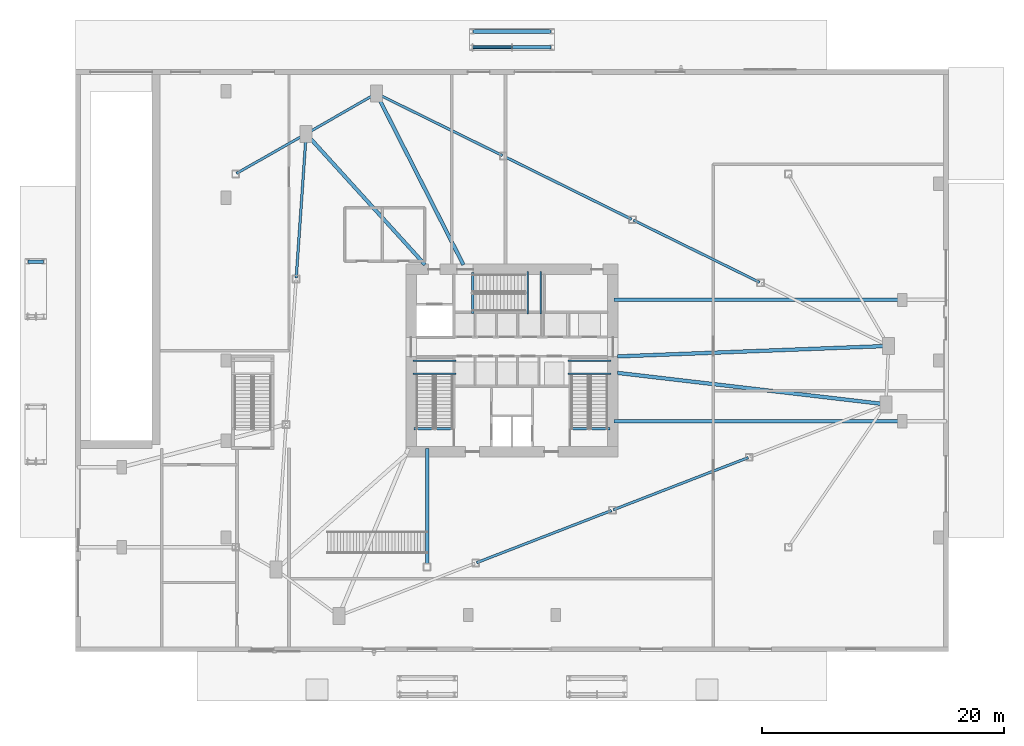
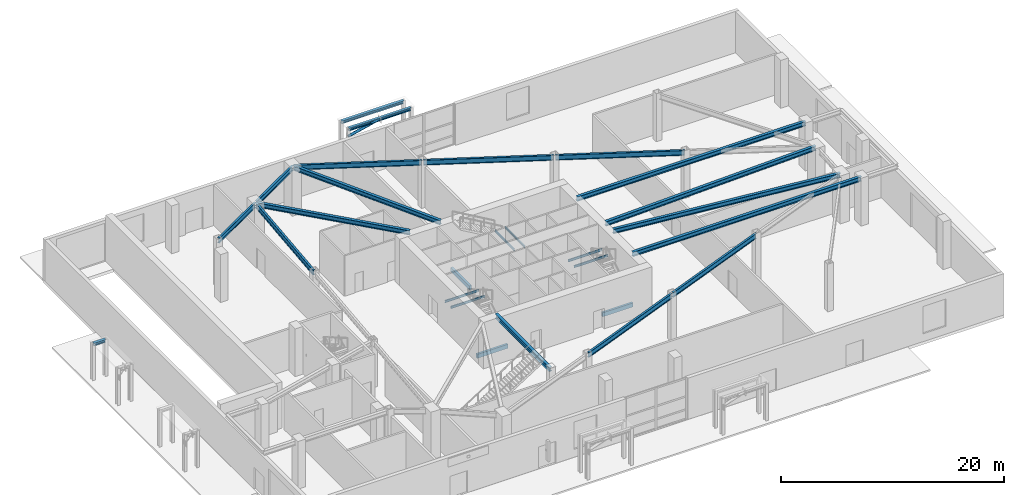
# One storey, part 7 of 22: 27 beams, 1 member.
"""IFC4 building model written with IfcOpenShell, lengths in metres."""

import ifcopenshell
import ifcopenshell.guid

model = None  # the IFC model being written
_history = None  # IfcOwnerHistory: only IFC2X3 demands one
_inside = {}  # id of a spatial element -> (the spatial element, [elements in it])
_under = {}  # id of a project, library or spatial element -> (it, [spatial elements below it])
_declared = {}  # id of a project -> (the project, [libraries it declares])
_typed = {}  # id of a type object -> (the type object, [elements of that type])
_made_of = {}  # id of a material, layer set ... -> (it, [elements and type objects made of it])


def new_model(schema):
    """Start an empty IFC model of exactly this schema.

    Asked for "IFC4X3", IfcOpenShell would pick the latest addendum, in which some entities
    have other attributes; the version numbers below select the first issue.
    IFC2X3 requires an IfcOwnerHistory on every rooted entity: one is made here for all.
    """
    global model, _history
    if schema == "IFC4X3":
        model = ifcopenshell.file(schema_version=(4, 3, 0, 0))
    else:
        model = ifcopenshell.file(schema=schema)
    _inside.clear()
    _under.clear()
    _declared.clear()
    _typed.clear()
    _made_of.clear()
    _history = None
    if model.schema == "IFC2X3":
        org = make("IfcOrganization", Name="unknown")
        user = make(
            "IfcPersonAndOrganization",
            ThePerson=make("IfcPerson", FamilyName="unknown"),
            TheOrganization=org,
        )
        app = make(
            "IfcApplication",
            ApplicationDeveloper=org,
            Version="unknown",
            ApplicationFullName="unknown",
            ApplicationIdentifier="unknown",
        )
        _history = make(
            "IfcOwnerHistory",
            OwningUser=user,
            OwningApplication=app,
            ChangeAction="ADDED",
            CreationDate=0,
        )
    return model


def make(cls, **values):
    """One entity of the class cls with the attributes given. An attribute that is None is left unset."""
    return model.create_entity(
        cls, **{name: value for name, value in values.items() if value is not None}
    )


def rooted(cls, **values):
    """An entity with a GlobalId (a new one), such as an element, a storey or a relation."""
    return make(cls, GlobalId=ifcopenshell.guid.new(), OwnerHistory=_history, **values)


def si_unit(unit_type, name, prefix=None):
    """IfcSIUnit, for example si_unit("LENGTHUNIT", "METRE", prefix="MILLI")."""
    return make("IfcSIUnit", UnitType=unit_type, Prefix=prefix, Name=name)


def assignment(units):
    """IfcUnitAssignment: the units of a project."""
    return None if units is None else make("IfcUnitAssignment", Units=units)


def point(xyz):
    """IfcCartesianPoint."""
    return None if xyz is None else make("IfcCartesianPoint", Coordinates=xyz)


def direction(xyz):
    """IfcDirection."""
    return None if xyz is None else make("IfcDirection", DirectionRatios=xyz)


def frame(location, z_axis=None, x_axis=None):
    """IfcAxis2Placement3D, a coordinate frame: its origin and axes. An axis left out is left unset."""
    return make(
        "IfcAxis2Placement3D",
        Location=point(location),
        Axis=direction(z_axis),
        RefDirection=direction(x_axis),
    )


def frame_2d(location, x_axis=None):
    """IfcAxis2Placement2D, a coordinate frame in the plane: its origin and x axis."""
    return make(
        "IfcAxis2Placement2D", Location=point(location), RefDirection=direction(x_axis)
    )


def origin():
    """The frame at (0, 0, 0) with its axes left unset."""
    return frame((0.0, 0.0, 0.0))


def origin_2d():
    """The frame at (0, 0) in the plane with its x axis left unset."""
    return frame_2d((0.0, 0.0))


def place(relative_to, where):
    """IfcLocalPlacement: puts the frame where relative to a parent placement (None: the world)."""
    return make(
        "IfcLocalPlacement", PlacementRelTo=relative_to, RelativePlacement=where
    )


def context(
    kind, dimensions, precision=None, world=None, true_north=None, identifier=None
):
    """IfcGeometricRepresentationContext, for example the 3D "Model" context."""
    return make(
        "IfcGeometricRepresentationContext",
        ContextIdentifier=identifier,
        ContextType=kind,
        CoordinateSpaceDimension=dimensions,
        Precision=precision,
        WorldCoordinateSystem=world,
        TrueNorth=true_north,
    )


def subcontext(parent, identifier, kind, view, scale=None):
    """IfcGeometricRepresentationSubContext, for example "Body" below "Model"."""
    return make(
        "IfcGeometricRepresentationSubContext",
        ContextIdentifier=identifier,
        ContextType=kind,
        ParentContext=parent,
        TargetScale=scale,
        TargetView=view,
    )


def project(units=None, contexts=None):
    """IfcProject with its units and contexts."""
    return rooted(
        "IfcProject",
        Name="project",
        RepresentationContexts=contexts,
        UnitsInContext=assignment(units),
    )


def spatial(cls, under=None, at=None, **own):
    """A site, building, storey or space (cls), placed at a placement, below another one or the project."""
    s = rooted(cls, ObjectPlacement=at, **own)
    if under is not None:
        _under.setdefault(under.id(), (under, []))[1].append(s)
    return s


def profile(cls, at=None, kind="AREA", **sizes):
    """A parametric profile (cls). Its sizes go by their IFC names, for example OverallWidth=200.0."""
    return make(cls, ProfileType=kind, Position=at, **sizes)


def rectangle(**sizes):
    """IfcRectangleProfileDef."""
    return profile("IfcRectangleProfileDef", **sizes)


def hollow_circle(**sizes):
    """IfcCircleHollowProfileDef."""
    return profile("IfcCircleHollowProfileDef", **sizes)


def i_section(**sizes):
    """IfcIShapeProfileDef."""
    return profile("IfcIShapeProfileDef", **sizes)


def extrude(swept, where, along, depth):
    """IfcExtrudedAreaSolid: the profile swept, set in the frame where, extruded along a direction by depth."""
    return make(
        "IfcExtrudedAreaSolid",
        SweptArea=swept,
        Position=where,
        ExtrudedDirection=direction(along),
        Depth=depth,
    )


def shape(context_of_items, identifier, shape_type, items):
    """IfcShapeRepresentation: the items that make up one representation, for example the "Body"."""
    return make(
        "IfcShapeRepresentation",
        ContextOfItems=context_of_items,
        RepresentationIdentifier=identifier,
        RepresentationType=shape_type,
        Items=items,
    )


def source(mapping_origin, context_of_items, identifier, shape_type, items):
    """IfcRepresentationMap: a shape defined once, which mapped items show again and again."""
    return make(
        "IfcRepresentationMap",
        MappingOrigin=mapping_origin,
        MappedRepresentation=shape(context_of_items, identifier, shape_type, items),
    )


def transform(
    local_origin,
    x_axis=None,
    y_axis=None,
    z_axis=None,
    scale=None,
    scale2=None,
    scale3=None,
    uniform=True,
):
    """IfcCartesianTransformationOperator3D, or its non-uniform kind. x_axis, y_axis, z_axis: its Axis1, 2, 3."""
    if uniform:
        return make(
            "IfcCartesianTransformationOperator3D",
            Axis1=direction(x_axis),
            Axis2=direction(y_axis),
            LocalOrigin=point(local_origin),
            Scale=scale,
            Axis3=direction(z_axis),
        )
    return make(
        "IfcCartesianTransformationOperator3DnonUniform",
        Axis1=direction(x_axis),
        Axis2=direction(y_axis),
        LocalOrigin=point(local_origin),
        Scale=scale,
        Axis3=direction(z_axis),
        Scale2=scale2,
        Scale3=scale3,
    )


def mapped(mapping_source, mapping_target):
    """IfcMappedItem: shows the shape of a source again, moved by a transform."""
    return make(
        "IfcMappedItem", MappingSource=mapping_source, MappingTarget=mapping_target
    )


def material(Name=None, Category=None):
    """IfcMaterial."""
    return make("IfcMaterial", Name=Name, Category=Category)


def material_profile(
    of_material, cross_section, Name=None, Category=None, Priority=None
):
    """IfcMaterialProfile: a cross section and its material."""
    return make(
        "IfcMaterialProfile",
        Name=Name,
        Material=of_material,
        Profile=cross_section,
        Priority=Priority,
        Category=Category,
    )


def profile_set(profiles, Name=None, composite=None):
    """IfcMaterialProfileSet."""
    return make(
        "IfcMaterialProfileSet",
        Name=Name,
        MaterialProfiles=profiles,
        CompositeProfile=composite,
    )


def made_of(thing, what):
    """Note that an element or type object is made of a material, layer set ...; save() writes the relation."""
    if what is not None:
        _made_of.setdefault(what.id(), (what, []))[1].append(thing)
    return thing


def type_object(cls, material=None, **own):
    """A type object (cls), such as IfcWallType, which elements share."""
    return made_of(rooted(cls, **own), material)


def element(
    cls,
    number,
    at=None,
    inside=None,
    cuts=None,
    type_object=None,
    material=None,
    context=None,
    identifier="Body",
    shape_type=None,
    held_by="IfcProductDefinitionShape",
    body=None,
    shapes=None,
    **own,
):
    """One element of the class cls, such as IfcWall. Its Tag is "e" and its number.

    at: its placement. inside: the storey or other place that contains it. cuts: it is an
    opening in that element (IfcRelVoidsElement). A single representation is given by context,
    identifier, shape_type and body (its items); several are given by shapes. held_by: the class
    of the entity that holds the representations. save() writes the other relations.
    """
    e = rooted(cls, Tag="e%d" % number, ObjectPlacement=at, **own)
    if body is not None:
        shapes = [shape(context, identifier, shape_type, body)]
    if shapes is not None:
        e.Representation = make(held_by, Representations=shapes)
    if inside is not None:
        _inside.setdefault(inside.id(), (inside, []))[1].append(e)
    if cuts is not None:
        rooted(
            "IfcRelVoidsElement", RelatingBuildingElement=cuts, RelatedOpeningElement=e
        )
    if type_object is not None:
        _typed.setdefault(type_object.id(), (type_object, []))[1].append(e)
    return made_of(e, material)


def aggregate(whole, parts):
    """IfcRelAggregates: a whole, such as a stair, and the parts it consists of."""
    return rooted("IfcRelAggregates", RelatingObject=whole, RelatedObjects=parts)


def save(model, path):
    """Write the relations noted so far, then the file.

    IfcRelAggregates (storeys below a building ...), IfcRelContainedInSpatialStructure (elements
    in a storey), IfcRelDefinesByType, IfcRelAssociatesMaterial and IfcRelDeclares: one each for
    every whole, place, type object, material and project.
    """
    for whole, parts in _under.values():
        aggregate(whole, parts)
    for where, things in _inside.values():
        rooted(
            "IfcRelContainedInSpatialStructure",
            RelatedElements=things,
            RelatingStructure=where,
        )
    for kind, things in _typed.values():
        rooted("IfcRelDefinesByType", RelatedObjects=things, RelatingType=kind)
    for what, things in _made_of.values():
        rooted("IfcRelAssociatesMaterial", RelatedObjects=things, RelatingMaterial=what)
    for by, libraries in _declared.values():
        rooted("IfcRelDeclares", RelatingContext=by, RelatedDefinitions=libraries)
    model.write(path)


model = new_model("IFC4")

# Units and contexts
model_context = context("Model", 3, precision=1e-05, world=origin(), true_north=direction((0.0, 1.0)))
body_context = subcontext(model_context, "Body", "Model", "MODEL_VIEW")
ifc_project = project(units=[si_unit("LENGTHUNIT", "METRE"), si_unit("AREAUNIT", "SQUARE_METRE"), si_unit("VOLUMEUNIT", "CUBIC_METRE"), si_unit("PLANEANGLEUNIT", "RADIAN"), si_unit("MASSUNIT", "GRAM", prefix="KILO")], contexts=[model_context])

# Site, building, storey
site_placement = place(None, origin())
site = spatial("IfcSite", under=ifc_project, at=site_placement, CompositionType="ELEMENT")
building_placement = place(site_placement, origin())
building = spatial("IfcBuilding", under=site, at=building_placement, Name="Olszyna Solenne Hotel", CompositionType="ELEMENT")
storey_placement = place(building_placement, origin())
storey = spatial("IfcBuildingStorey", under=building, at=storey_placement, Name="L00", CompositionType="ELEMENT", Elevation=0.0)

# Beams
ifc_material_1 = material(Name="Steel S355J2", Category="steel")
ifc_material_profile_1 = material_profile(ifc_material_1, i_section(OverallWidth=0.300048828125, OverallDepth=0.489990234375, WebThickness=0.011962890625, FlangeThickness=0.02294921875, at=origin_2d()), Name="HEA 500", Category="load-bearing")
ifc_profile_set_1 = profile_set([ifc_material_profile_1], Name="Steel S355J2")
beam_type_1 = type_object("IfcBeamType", Name="BM-G1", PredefinedType="BEAM", material=ifc_profile_set_1)
shared_shape_1 = source(origin(), body_context, "Body", "SweptSolid", [
    extrude(i_section(OverallWidth=0.300048828125, OverallDepth=0.489990234375, WebThickness=0.011962890625, FlangeThickness=0.02294921875, at=origin_2d()), origin(), (0.0, 0.0, 1.0), 22.2294921875),
])
beam_1_placement = place(storey_placement, frame((68.778564453125, 22.993896484375, 4.8349609375), z_axis=(-0.993206789888, 0.116362676665, 0.0), x_axis=(-0.116362676665, -0.993206789888, 0.0)))
element("IfcBeam", 1, at=beam_1_placement, inside=storey, type_object=beam_type_1, Name="Podium radial girder BM-G1 B-L00-0037", PredefinedType="BEAM", context=body_context, shape_type="MappedRepresentation", body=[
    mapped(shared_shape_1, transform((0.0, 0.0, 0.0), x_axis=(1.0, 0.0, 0.0), y_axis=(0.0, 1.0, 0.0), z_axis=(0.0, 0.0, 1.0), scale=1.0)),
])
shared_shape_2 = source(origin(), body_context, "Body", "SweptSolid", [
    extrude(i_section(OverallWidth=0.300048828125, OverallDepth=0.489990234375, WebThickness=0.011962890625, FlangeThickness=0.02294921875, at=origin_2d()), origin(), (0.0, 0.0, 1.0), 22.309326171875),
])
beam_2_placement = place(storey_placement, frame((68.99267578125, 27.7998046875, 4.8349609375), z_axis=(-0.999251460368, -0.038684867238, 0.0), x_axis=(0.038684867238, -0.999251460368, 0.0)))
element("IfcBeam", 2, at=beam_2_placement, inside=storey, type_object=beam_type_1, Name="Podium radial girder BM-G1 B-L00-0039", PredefinedType="BEAM", context=body_context, shape_type="MappedRepresentation", body=[
    mapped(shared_shape_2, transform((0.0, 0.0, 0.0), x_axis=(1.0, 0.0, 0.0), y_axis=(0.0, 1.0, 0.0), z_axis=(0.0, 0.0, 1.0), scale=1.0)),
])
shared_shape_3 = source(origin(), body_context, "Body", "SweptSolid", [
    extrude(i_section(OverallWidth=0.300048828125, OverallDepth=0.489990234375, WebThickness=0.011962890625, FlangeThickness=0.02294921875, at=origin_2d()), origin(), (0.0, 0.0, 1.0), 15.77392578125),
])
beam_3_placement = place(storey_placement, frame((26.84521484375, 48.5703125, 4.8349609375), z_axis=(0.452702772285, -0.891661482832, 0.0), x_axis=(0.891661482832, 0.452702772285, 0.0)))
element("IfcBeam", 3, at=beam_3_placement, inside=storey, type_object=beam_type_1, Name="Podium radial girder BM-G1 B-L00-0041", PredefinedType="BEAM", context=body_context, shape_type="MappedRepresentation", body=[
    mapped(shared_shape_3, transform((0.0, 0.0, 0.0), x_axis=(1.0, 0.0, 0.0), y_axis=(0.0, 1.0, 0.0), z_axis=(0.0, 0.0, 1.0), scale=1.0)),
])
shared_shape_4 = source(origin(), body_context, "Body", "SweptSolid", [
    extrude(i_section(OverallWidth=0.300048828125, OverallDepth=0.489990234375, WebThickness=0.011962890625, FlangeThickness=0.02294921875, at=origin_2d()), origin(), (0.0, 0.0, 1.0), 14.502197265625),
])
beam_4_placement = place(storey_placement, frame((21.068115234375, 45.250244140625, 4.8349609375), z_axis=(0.672176589992, -0.740390864252, 0.0), x_axis=(0.740390864252, 0.672176589992, 0.0)))
element("IfcBeam", 4, at=beam_4_placement, inside=storey, type_object=beam_type_1, Name="Podium radial girder BM-G1 B-L00-0043", PredefinedType="BEAM", context=body_context, shape_type="MappedRepresentation", body=[
    mapped(shared_shape_4, transform((0.0, 0.0, 0.0), x_axis=(1.0, 0.0, 0.0), y_axis=(0.0, 1.0, 0.0), z_axis=(0.0, 0.0, 1.0), scale=1.0)),
])
ifc_material_profile_2 = material_profile(ifc_material_1, i_section(OverallWidth=0.2099609375, OverallDepth=0.550048828125, WebThickness=0.010986328125, FlangeThickness=0.01708984375, at=origin_2d()), Name="IPE 550", Category="load-bearing")
ifc_profile_set_2 = profile_set([ifc_material_profile_2], Name="Steel S355J2")
beam_type_2 = type_object("IfcBeamType", Name="BM-F2", PredefinedType="BEAM", material=ifc_profile_set_2)
shared_shape_5 = source(origin(), body_context, "Body", "SweptSolid", [
    extrude(i_section(OverallWidth=0.2099609375, OverallDepth=0.550048828125, WebThickness=0.010986328125, FlangeThickness=0.01708984375, at=origin_2d()), origin(), (0.0, 0.0, 1.0), 11.6201171875),
])
beam_5_placement = place(storey_placement, frame((58.434814453125, 33.048095703125, 4.804931640625), z_axis=(-0.896896785097, 0.442239931352, 0.0), x_axis=(-0.442239931352, -0.896896785097, 0.0)))
element("IfcBeam", 5, at=beam_5_placement, inside=storey, type_object=beam_type_2, Name="Podium ring girder BM-F2 BRG-L00-22", PredefinedType="BEAM", context=body_context, shape_type="MappedRepresentation", body=[
    mapped(shared_shape_5, transform((0.0, 0.0, 0.0), x_axis=(1.0, 0.0, 0.0), y_axis=(0.0, 1.0, 0.0), z_axis=(0.0, 0.0, 1.0), scale=1.0)),
])
shared_shape_6 = source(origin(), body_context, "Body", "SweptSolid", [
    extrude(i_section(OverallWidth=0.2099609375, OverallDepth=0.550048828125, WebThickness=0.010986328125, FlangeThickness=0.01708984375, at=origin_2d()), origin(), (0.0, 0.0, 1.0), 11.718017578125),
])
beam_6_placement = place(storey_placement, frame((47.868896484375, 38.2578125, 4.804931640625), z_axis=(-0.896909246916, 0.442214656921, 0.0), x_axis=(-0.442214656921, -0.896909246916, 0.0)))
element("IfcBeam", 6, at=beam_6_placement, inside=storey, type_object=beam_type_2, Name="Podium ring girder BM-F2 BRG-L00-23", PredefinedType="BEAM", context=body_context, shape_type="MappedRepresentation", body=[
    mapped(shared_shape_6, transform((0.0, 0.0, 0.0), x_axis=(1.0, 0.0, 0.0), y_axis=(0.0, 1.0, 0.0), z_axis=(0.0, 0.0, 1.0), scale=1.0)),
])
shared_shape_7 = source(origin(), body_context, "Body", "SweptSolid", [
    extrude(i_section(OverallWidth=0.2099609375, OverallDepth=0.550048828125, WebThickness=0.010986328125, FlangeThickness=0.01708984375, at=origin_2d()), origin(), (0.0, 0.0, 1.0), 11.5224609375),
])
beam_7_placement = place(storey_placement, frame((37.215087890625, 43.510498046875, 4.804931640625), z_axis=(-0.896896659494, 0.442240186085, 0.0), x_axis=(-0.442240186085, -0.896896659494, 0.0)))
element("IfcBeam", 7, at=beam_7_placement, inside=storey, type_object=beam_type_2, Name="Podium ring girder BM-F2 BRG-L00-24", PredefinedType="BEAM", context=body_context, shape_type="MappedRepresentation", body=[
    mapped(shared_shape_7, transform((0.0, 0.0, 0.0), x_axis=(1.0, 0.0, 0.0), y_axis=(0.0, 1.0, 0.0), z_axis=(0.0, 0.0, 1.0), scale=1.0)),
])
shared_shape_8 = source(origin(), body_context, "Body", "SweptSolid", [
    extrude(i_section(OverallWidth=0.2099609375, OverallDepth=0.550048828125, WebThickness=0.010986328125, FlangeThickness=0.01708984375, at=origin_2d()), origin(), (0.0, 0.0, 1.0), 6.524169921875),
])
beam_8_placement = place(storey_placement, frame((26.739501953125, 48.601806640625, 4.804931640625), z_axis=(-0.866881237844, -0.498514713397, 0.0), x_axis=(0.498514713397, -0.866881237844, 0.0)))
element("IfcBeam", 8, at=beam_8_placement, inside=storey, type_object=beam_type_2, Name="Podium ring girder BM-F2 B-L00-0040", PredefinedType="BEAM", context=body_context, shape_type="MappedRepresentation", body=[
    mapped(shared_shape_8, transform((0.0, 0.0, 0.0), x_axis=(1.0, 0.0, 0.0), y_axis=(0.0, 1.0, 0.0), z_axis=(0.0, 0.0, 1.0), scale=1.0)),
])
shared_shape_9 = source(origin(), body_context, "Body", "SweptSolid", [
    extrude(i_section(OverallWidth=0.2099609375, OverallDepth=0.550048828125, WebThickness=0.010986328125, FlangeThickness=0.01708984375, at=origin_2d()), origin(), (0.0, 0.0, 1.0), 11.857666015625),
])
beam_9_placement = place(storey_placement, frame((21.0087890625, 45.2294921875, 4.804931640625), z_axis=(-0.068850141024, -0.997627013508, 0.0), x_axis=(0.997627013508, -0.068850141024, 0.0)))
element("IfcBeam", 9, at=beam_9_placement, inside=storey, type_object=beam_type_2, Name="Podium ring girder BM-F2 B-L00-0042", PredefinedType="BEAM", context=body_context, shape_type="MappedRepresentation", body=[
    mapped(shared_shape_9, transform((0.0, 0.0, 0.0), x_axis=(1.0, 0.0, 0.0), y_axis=(0.0, 1.0, 0.0), z_axis=(0.0, 0.0, 1.0), scale=1.0)),
])
shared_shape_10 = source(origin(), body_context, "Body", "SweptSolid", [
    extrude(i_section(OverallWidth=0.2099609375, OverallDepth=0.550048828125, WebThickness=0.010986328125, FlangeThickness=0.01708984375, at=origin_2d()), origin(), (0.0, 0.0, 1.0), 11.94091796875),
])
for number, where, z_axis, x_axis, name in (
    (10, (35.074951171875, 9.915283203125, 4.804931640625), (0.932649339214, 0.360784159939, 0.0), (-0.360784159939, 0.932649339214, 0.0), "Podium ring girder BM-F2 BRG-L00-62"),
    (11, (46.36083984375, 14.28125, 4.804931640625), (0.932642459435, 0.360801944091, 0.0), (-0.360801944091, 0.932642459435, 0.0), "Podium ring girder BM-F2 BRG-L00-63"),
):
    element("IfcBeam", number, at=place(storey_placement, frame(where, z_axis=z_axis, x_axis=x_axis)), inside=storey, type_object=beam_type_2, Name=name, PredefinedType="BEAM", context=body_context, shape_type="MappedRepresentation", body=[
        mapped(shared_shape_10, transform((0.0, 0.0, 0.0), x_axis=(1.0, 0.0, 0.0), y_axis=(0.0, 1.0, 0.0), z_axis=(0.0, 0.0, 1.0), scale=1.0)),
    ])
shared_shape_11 = source(origin(), body_context, "Body", "SweptSolid", [
    extrude(i_section(OverallWidth=0.300048828125, OverallDepth=0.489990234375, WebThickness=0.011962890625, FlangeThickness=0.02294921875, at=origin_2d()), origin(), (0.0, 0.0, 1.0), 9.739990234375),
])
beam_10_placement = place(storey_placement, frame((31.0, 9.610107421875, 4.8349609375), z_axis=(0.0, 1.0, 0.0), x_axis=(-1.0, 0.0, 0.0)))
element("IfcBeam", 12, at=beam_10_placement, inside=storey, type_object=beam_type_1, Name="Lobby feature stair East arrival girder BM-G1 B-L00-0048", PredefinedType="BEAM", context=body_context, shape_type="MappedRepresentation", body=[
    mapped(shared_shape_11, transform((0.0, 0.0, 0.0), x_axis=(1.0, 0.0, 0.0), y_axis=(0.0, 1.0, 0.0), z_axis=(0.0, 0.0, 1.0), scale=1.0)),
])
shared_shape_12 = source(origin(), body_context, "Body", "SweptSolid", [
    extrude(i_section(OverallWidth=0.300048828125, OverallDepth=0.489990234375, WebThickness=0.011962890625, FlangeThickness=0.02294921875, at=origin_2d()), origin(), (0.0, 0.0, 1.0), 23.739990234375),
])
for number, where, z_axis, x_axis, name in (
    (13, (46.39990234375, 21.60009765625, 4.8349609375), (1.0, 0.0, 0.0), (0.0, 1.0, 0.0), "Terrace East interior back-span girder BM-G1 B-L00-0054"),
    (14, (46.39990234375, 31.60009765625, 4.8349609375), (1.0, 0.0, 0.0), (0.0, 1.0, 0.0), "Terrace East interior back-span girder BM-G1 B-L00-0056"),
):
    element("IfcBeam", number, at=place(storey_placement, frame(where, z_axis=z_axis, x_axis=x_axis)), inside=storey, type_object=beam_type_1, Name=name, PredefinedType="BEAM", context=body_context, shape_type="MappedRepresentation", body=[
        mapped(shared_shape_12, transform((0.0, 0.0, 0.0), x_axis=(1.0, 0.0, 0.0), y_axis=(0.0, 1.0, 0.0), z_axis=(0.0, 0.0, 1.0), scale=1.0)),
    ])
shared_shape_13 = source(origin(), body_context, "Body", "SweptSolid", [
    extrude(i_section(OverallWidth=0.2099609375, OverallDepth=0.550048828125, WebThickness=0.010986328125, FlangeThickness=0.01708984375, at=origin_2d()), origin(), (0.0, 0.0, 1.0), 6.5302734375),
])
beam_11_placement = place(storey_placement, frame((15.26953125, 42.03955078125, 4.804931640625), z_axis=(0.869086244162, 0.494660590919, 0.0), x_axis=(-0.494660590919, 0.869086244162, 0.0)))
element("IfcBeam", 15, at=beam_11_placement, inside=storey, type_object=beam_type_2, Name="Podium terrace girder BM-F2 B-L00-0060", PredefinedType="BEAM", context=body_context, shape_type="MappedRepresentation", body=[
    mapped(shared_shape_13, transform((0.0, 0.0, 0.0), x_axis=(1.0, 0.0, 0.0), y_axis=(0.0, 1.0, 0.0), z_axis=(0.0, 0.0, 1.0), scale=1.0)),
])
ifc_material_profile_3 = material_profile(ifc_material_1, i_section(OverallWidth=0.300048828125, OverallDepth=0.31005859375, WebThickness=0.009033203125, FlangeThickness=0.015380859375, at=origin_2d()), Name="HEA 320", Category="load-bearing")
ifc_profile_set_3 = profile_set([ifc_material_profile_3], Name="Steel S355J2")
beam_type_3 = type_object("IfcBeamType", Name="BM-G3", PredefinedType="BEAM", material=ifc_profile_set_3)
shared_shape_14 = source(origin(), body_context, "Body", "SweptSolid", [
    extrude(i_section(OverallWidth=0.300048828125, OverallDepth=0.31005859375, WebThickness=0.009033203125, FlangeThickness=0.015380859375, at=origin_2d()), origin(), (0.0, 0.0, 1.0), 6.4599609375),
])
for number, where, z_axis, x_axis, name in (
    (16, (34.77001953125, 52.449951171875, 3.885009765625), (1.0, 0.0, 0.0), (0.0, 1.0, 0.0), "Canopy frame beam BM-G3 B-L00-0149"),
    (17, (41.22998046875, 53.75, 3.885009765625), (-1.0, 0.0, 0.0), (0.0, -1.0, 0.0), "Canopy frame beam BM-G3 B-L00-0150"),
):
    element("IfcBeam", number, at=place(storey_placement, frame(where, z_axis=z_axis, x_axis=x_axis)), inside=storey, type_object=beam_type_3, Name=name, PredefinedType="BEAM", context=body_context, shape_type="MappedRepresentation", body=[
        mapped(shared_shape_14, transform((0.0, 0.0, 0.0), x_axis=(1.0, 0.0, 0.0), y_axis=(0.0, 1.0, 0.0), z_axis=(0.0, 0.0, 1.0), scale=1.0)),
    ])

# Member
ifc_material_profile_4 = material_profile(ifc_material_1, hollow_circle(Radius=0.136474609375, WallThickness=0.010009765625, at=origin_2d()), Name="CHS 273x10", Category="load-bearing")
ifc_profile_set_4 = profile_set([ifc_material_profile_4], Name="Steel S355J2")
member_type = type_object("IfcMemberType", Name="ST-CN1", PredefinedType="STRUT", material=ifc_profile_set_4)
shared_shape_15 = source(origin(), body_context, "Body", "SweptSolid", [
    extrude(hollow_circle(Radius=0.136474609375, WallThickness=0.010009765625, at=origin_2d()), origin(), (0.0, 0.0, 1.0), 3.34228515625),
])
member_placement = place(storey_placement, frame((34.75, 52.449951171875, 3.10009765625), z_axis=(0.972401887382, 0.0, 0.233312171597), x_axis=(0.0, 1.0, 0.0)))
element("IfcMember", 18, at=member_placement, inside=storey, type_object=member_type, Name="Canopy knee brace strut ST-CN1 M-CN-CN-N1", PredefinedType="STRUT", context=body_context, shape_type="MappedRepresentation", body=[
    mapped(shared_shape_15, transform((0.0, 0.0, 0.0), x_axis=(1.0, 0.0, 0.0), y_axis=(0.0, 1.0, 0.0), z_axis=(0.0, 0.0, 1.0), scale=1.0)),
])

# Beams
shared_shape_16 = source(origin(), body_context, "Body", "SweptSolid", [
    extrude(i_section(OverallWidth=0.300048828125, OverallDepth=0.31005859375, WebThickness=0.009033203125, FlangeThickness=0.015380859375, at=origin_2d()), origin(), (0.0, 0.0, 1.0), 1.260009765625),
])
beam_12_placement = place(storey_placement, frame((-0.669921875, 34.75, 3.885009765625), z_axis=(-1.0, 0.0, 0.0), x_axis=(0.0, -1.0, 0.0)))
element("IfcBeam", 19, at=beam_12_placement, inside=storey, type_object=beam_type_3, Name="Canopy frame beam BM-G3 B-L00-0154", PredefinedType="BEAM", context=body_context, shape_type="MappedRepresentation", body=[
    mapped(shared_shape_16, transform((0.0, 0.0, 0.0), x_axis=(1.0, 0.0, 0.0), y_axis=(0.0, 1.0, 0.0), z_axis=(0.0, 0.0, 1.0), scale=1.0)),
])
ifc_material_profile_5 = material_profile(ifc_material_1, i_section(OverallWidth=0.1201171875, OverallDepth=0.239990234375, WebThickness=0.006103515625, FlangeThickness=0.009765625, at=origin_2d()), Name="IPE 240", Category="load-bearing")
ifc_profile_set_5 = profile_set([ifc_material_profile_5], Name="Steel S355J2")
beam_type_4 = type_object("IfcBeamType", Name="JS-03", PredefinedType="JOIST", material=ifc_profile_set_5)
shared_shape_17 = source(origin(), body_context, "Body", "SweptSolid", [
    extrude(i_section(OverallWidth=0.1201171875, OverallDepth=0.239990234375, WebThickness=0.006103515625, FlangeThickness=0.009765625, at=origin_2d()), origin(), (0.0, 0.0, 1.0), 3.539794921875),
])
for number, where, z_axis, x_axis, name in (
    (20, (33.3798828125, 25.52001953125, 2.375), (-1.0, 0.0, 0.0), (0.0, -1.0, 0.0), "Stair landing support beam JS-03 SLB-ST1-0005"),
    (21, (33.3798828125, 26.580078125, 2.375), (-1.0, 0.0, 0.0), (0.0, -1.0, 0.0), "Stair landing support beam JS-03 SLB-ST1-0006"),
    (22, (46.159912109375, 25.52001953125, 2.375), (-1.0, 0.0, 0.0), (0.0, -1.0, 0.0), "Stair landing support beam JS-03 SLB-ST2-0245"),
    (23, (46.159912109375, 26.580078125, 2.375), (-1.0, 0.0, 0.0), (0.0, -1.0, 0.0), "Stair landing support beam JS-03 SLB-ST2-0246"),
):
    element("IfcBeam", number, at=place(storey_placement, frame(where, z_axis=z_axis, x_axis=x_axis)), inside=storey, type_object=beam_type_4, Name=name, PredefinedType="JOIST", context=body_context, shape_type="MappedRepresentation", body=[
        mapped(shared_shape_17, transform((0.0, 0.0, 0.0), x_axis=(1.0, 0.0, 0.0), y_axis=(0.0, 1.0, 0.0), z_axis=(0.0, 0.0, 1.0), scale=1.0)),
    ])
ifc_material_2 = material(Name="Concrete C50/60", Category="concrete")
ifc_material_profile_6 = material_profile(ifc_material_2, rectangle(XDim=0.219970703125, YDim=0.43994140625, at=origin_2d()), Name="RC 220x440", Category="load-bearing")
ifc_profile_set_6 = profile_set([ifc_material_profile_6], Name="Concrete C50/60")
beam_type_5 = type_object("IfcBeamType", Name="BM-ST1", PredefinedType="BEAM", material=ifc_profile_set_6)
shared_shape_18 = source(origin(), body_context, "Body", "SweptSolid", [
    extrude(rectangle(XDim=0.219970703125, YDim=0.43994140625, at=origin_2d()), origin(), (0.0, 0.0, 1.0), 3.18017578125),
])
for number, where, z_axis, x_axis, name in (
    (24, (33.10009765625, 20.97998046875, -0.205078125), (-1.0, 0.0, 0.0), (0.0, -1.0, 0.0), "Concrete stair trimmer beam BM-ST1 SHB-ST1-0162"),
    (25, (46.080078125, 20.97998046875, -0.205078125), (-1.0, 0.0, 0.0), (0.0, -1.0, 0.0), "Concrete stair trimmer beam BM-ST1 SHB-ST2-0402"),
):
    element("IfcBeam", number, at=place(storey_placement, frame(where, z_axis=z_axis, x_axis=x_axis)), inside=storey, type_object=beam_type_5, Name=name, PredefinedType="BEAM", context=body_context, shape_type="MappedRepresentation", body=[
        mapped(shared_shape_18, transform((0.0, 0.0, 0.0), x_axis=(1.0, 0.0, 0.0), y_axis=(0.0, 1.0, 0.0), z_axis=(0.0, 0.0, 1.0), scale=1.0)),
    ])
shared_shape_19 = source(origin(), body_context, "Body", "SweptSolid", [
    extrude(i_section(OverallWidth=0.1201171875, OverallDepth=0.239990234375, WebThickness=0.006103515625, FlangeThickness=0.009765625, at=origin_2d()), origin(), (0.0, 0.0, 1.0), 3.5400390625),
])
for number, where, z_axis, x_axis, name in (
    (26, (39.300048828125, 30.419921875, 2.375), (0.0, 1.0, 0.0), (-1.0, 0.0, 0.0), "Stair landing support beam JS-03 SLB-ST3-0485"),
    (27, (40.360107421875, 30.419921875, 2.375), (0.0, 1.0, 0.0), (-1.0, 0.0, 0.0), "Stair landing support beam JS-03 SLB-ST3-0486"),
):
    element("IfcBeam", number, at=place(storey_placement, frame(where, z_axis=z_axis, x_axis=x_axis)), inside=storey, type_object=beam_type_4, Name=name, PredefinedType="JOIST", context=body_context, shape_type="MappedRepresentation", body=[
        mapped(shared_shape_19, transform((0.0, 0.0, 0.0), x_axis=(1.0, 0.0, 0.0), y_axis=(0.0, 1.0, 0.0), z_axis=(0.0, 0.0, 1.0), scale=1.0)),
    ])
shared_shape_20 = source(origin(), body_context, "Body", "SweptSolid", [
    extrude(rectangle(XDim=0.219970703125, YDim=0.43994140625, at=origin_2d()), origin(), (0.0, 0.0, 1.0), 3.3798828125),
])
beam_13_placement = place(storey_placement, frame((34.760009765625, 30.5, -0.205078125), z_axis=(0.0, 1.0, 0.0), x_axis=(-1.0, 0.0, 0.0)))
element("IfcBeam", 28, at=beam_13_placement, inside=storey, type_object=beam_type_5, Name="Concrete stair trimmer beam BM-ST1 SHB-ST3-0640", PredefinedType="BEAM", context=body_context, shape_type="MappedRepresentation", body=[
    mapped(shared_shape_20, transform((0.0, 0.0, 0.0), x_axis=(1.0, 0.0, 0.0), y_axis=(0.0, 1.0, 0.0), z_axis=(0.0, 0.0, 1.0), scale=1.0)),
])

save(model, "model.ifc")
